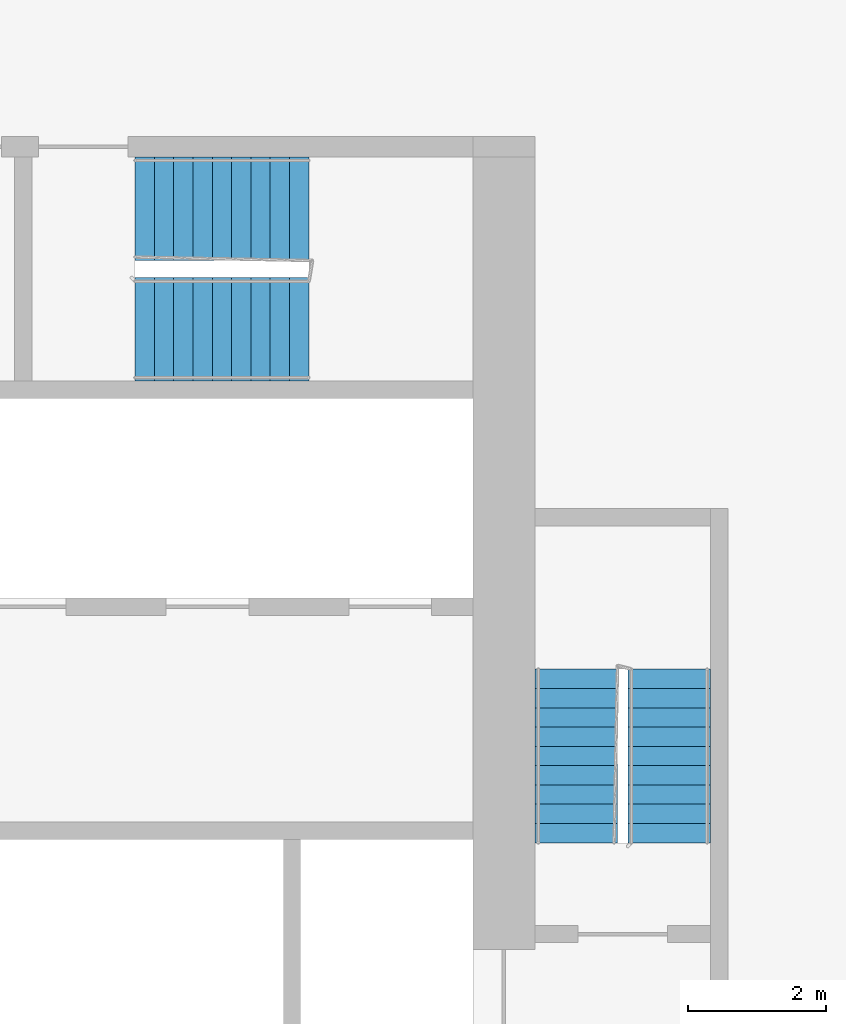
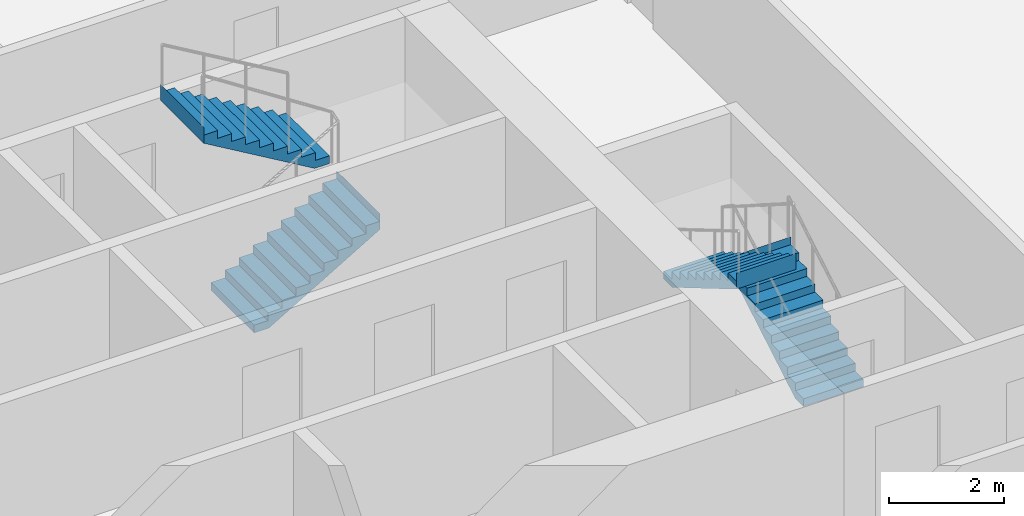
# One storey, part 11 of 12: 4 stair flights, 2 elements without a shape of their own.
"""IFC4 building model written with IfcOpenShell, lengths in metres."""

from ifc_helpers import new_model, si_unit, direction, frame, origin, place, context, subcontext, project, spatial, faceted_brep, material, type_object, element, aggregate, save


model = new_model("IFC4")

# Units and contexts
model_context = context("Model", 3, precision=1e-05, world=origin(), true_north=direction((0.0, 1.0)))
body_context = subcontext(model_context, "Body", "Model", "MODEL_VIEW")
ifc_project = project(units=[si_unit("LENGTHUNIT", "METRE"), si_unit("AREAUNIT", "SQUARE_METRE"), si_unit("VOLUMEUNIT", "CUBIC_METRE"), si_unit("PLANEANGLEUNIT", "RADIAN"), si_unit("MASSUNIT", "GRAM", prefix="KILO")], contexts=[model_context])

# Site, building, storey
site_placement = place(None, origin())
site = spatial("IfcSite", under=ifc_project, at=site_placement, CompositionType="ELEMENT")
building_placement = place(site_placement, origin())
building = spatial("IfcBuilding", under=site, at=building_placement, Name="Kajstack Hotel Tower", CompositionType="ELEMENT")
storey_placement = place(building_placement, frame((0.0, 0.0, 137.199951171875)))
storey = spatial("IfcBuildingStorey", under=building, at=storey_placement, Name="L31", CompositionType="ELEMENT", Elevation=137.199951171875)

# Stair, stair flights
ifc_material = material(Name="Concrete C40/50", Category="concrete")
stair_type_1 = type_object("IfcStairType", Name="Exit stair 1200", PredefinedType="HALF_TURN_STAIR", material=ifc_material)
stair_1_placement = place(storey_placement, origin())
stair_1 = element("IfcStair", 1, at=stair_1_placement, inside=storey, type_object=stair_type_1, Name="L31 stair E1", PredefinedType="HALF_TURN_STAIR")
stair_flight_type_1 = type_object("IfcStairFlightType", Name="Exit stair flight 1200", PredefinedType="STRAIGHT", material=ifc_material)
stair_flight_1_placement = place(storey_placement, frame((33.449951171875, 5.25, 0.0), z_axis=(0.0, 0.0, 1.0), x_axis=(0.0, 1.0, 0.0)))
stair_flight_1 = element("IfcStairFlight", 2, at=stair_flight_1_placement, type_object=stair_flight_type_1, Name="E1 flight 1", NumberOfRisers=10, NumberOfTreads=9, PredefinedType="STRAIGHT", RiserHeight=0.165, TreadLength=0.28, context=body_context, shape_type="Brep", body=[
    faceted_brep([(0.295654296875, -0.60009765625, 0.0), (2.5205078125, -0.60009765625, 1.31103515625), (2.5205078125, -0.60009765625, 1.64990234375), (2.52001953125, -0.60009765625, 1.64990234375), (2.52001953125, -0.60009765625, 1.485107421875), (2.239990234375, -0.60009765625, 1.485107421875), (2.239990234375, -0.60009765625, 1.320068359375), (1.9599609375, -0.60009765625, 1.320068359375), (1.9599609375, -0.60009765625, 1.155029296875), (1.679931640625, -0.60009765625, 1.155029296875), (1.679931640625, -0.60009765625, 0.989990234375), (1.39990234375, -0.60009765625, 0.989990234375), (1.39990234375, -0.60009765625, 0.824951171875), (1.1201171875, -0.60009765625, 0.824951171875), (1.1201171875, -0.60009765625, 0.659912109375), (0.840087890625, -0.60009765625, 0.659912109375), (0.840087890625, -0.60009765625, 0.4951171875), (0.56005859375, -0.60009765625, 0.4951171875), (0.56005859375, -0.60009765625, 0.330078125), (0.280029296875, -0.60009765625, 0.330078125), (0.280029296875, -0.60009765625, 0.1650390625), (-0.00048828125, -0.60009765625, 0.1650390625), (-0.00048828125, -0.60009765625, 0.0), (-0.00048828125, 0.60009765625, 0.0), (-0.00048828125, 0.60009765625, 0.1650390625), (0.280029296875, 0.60009765625, 0.1650390625), (0.280029296875, 0.60009765625, 0.330078125), (0.56005859375, 0.60009765625, 0.330078125), (0.56005859375, 0.60009765625, 0.4951171875), (0.840087890625, 0.60009765625, 0.4951171875), (0.840087890625, 0.60009765625, 0.659912109375), (1.1201171875, 0.60009765625, 0.659912109375), (1.1201171875, 0.60009765625, 0.824951171875), (1.39990234375, 0.60009765625, 0.824951171875), (1.39990234375, 0.60009765625, 0.989990234375), (1.679931640625, 0.60009765625, 0.989990234375), (1.679931640625, 0.60009765625, 1.155029296875), (1.9599609375, 0.60009765625, 1.155029296875), (1.9599609375, 0.60009765625, 1.320068359375), (2.239990234375, 0.60009765625, 1.320068359375), (2.239990234375, 0.60009765625, 1.485107421875), (2.52001953125, 0.60009765625, 1.485107421875), (2.52001953125, 0.60009765625, 1.64990234375), (2.5205078125, 0.60009765625, 1.64990234375), (2.5205078125, 0.60009765625, 1.31103515625), (0.295654296875, 0.60009765625, 0.0), (-0.00048828125, -0.300048828125, 0.1650390625), (-0.00048828125, 0.0, 0.1650390625), (-0.00048828125, 0.300048828125, 0.1650390625), (-0.00048828125, 0.300048828125, 0.0), (-0.00048828125, 0.0, 0.0), (-0.00048828125, -0.300048828125, 0.0), (0.280029296875, -0.300048828125, 0.1650390625), (0.280029296875, 0.0, 0.1650390625), (0.280029296875, 0.300048828125, 0.1650390625), (0.280029296875, -0.300048828125, 0.330078125), (0.280029296875, 0.0, 0.330078125), (0.280029296875, 0.300048828125, 0.330078125), (0.56005859375, -0.300048828125, 0.330078125), (0.56005859375, 0.0, 0.330078125), (0.56005859375, 0.300048828125, 0.330078125), (0.56005859375, -0.300048828125, 0.4951171875), (0.56005859375, 0.0, 0.4951171875), (0.56005859375, 0.300048828125, 0.4951171875), (0.840087890625, -0.300048828125, 0.4951171875), (0.840087890625, 0.0, 0.4951171875), (0.840087890625, 0.300048828125, 0.4951171875), (0.840087890625, -0.300048828125, 0.659912109375), (0.840087890625, 0.0, 0.659912109375), (0.840087890625, 0.300048828125, 0.659912109375), (1.1201171875, -0.300048828125, 0.659912109375), (1.1201171875, 0.0, 0.659912109375), (1.1201171875, 0.300048828125, 0.659912109375), (1.1201171875, -0.300048828125, 0.824951171875), (1.1201171875, 0.0, 0.824951171875), (1.1201171875, 0.300048828125, 0.824951171875), (1.39990234375, -0.300048828125, 0.824951171875), (1.39990234375, 0.0, 0.824951171875), (1.39990234375, 0.300048828125, 0.824951171875), (1.39990234375, -0.300048828125, 0.989990234375), (1.39990234375, 0.0, 0.989990234375), (1.39990234375, 0.300048828125, 0.989990234375), (1.679931640625, -0.300048828125, 0.989990234375), (1.679931640625, 0.0, 0.989990234375), (1.679931640625, 0.300048828125, 0.989990234375), (1.679931640625, -0.300048828125, 1.155029296875), (1.679931640625, 0.0, 1.155029296875), (1.679931640625, 0.300048828125, 1.155029296875), (1.9599609375, -0.300048828125, 1.155029296875), (1.9599609375, 0.0, 1.155029296875), (1.9599609375, 0.300048828125, 1.155029296875), (1.9599609375, -0.300048828125, 1.320068359375), (1.9599609375, 0.0, 1.320068359375), (1.9599609375, 0.300048828125, 1.320068359375), (2.239990234375, -0.300048828125, 1.320068359375), (2.239990234375, 0.0, 1.320068359375), (2.239990234375, 0.300048828125, 1.320068359375), (2.239990234375, -0.300048828125, 1.485107421875), (2.239990234375, 0.0, 1.485107421875), (2.239990234375, 0.300048828125, 1.485107421875), (2.52001953125, -0.300048828125, 1.485107421875), (2.52001953125, 0.0, 1.485107421875), (2.52001953125, 0.300048828125, 1.485107421875), (2.52001953125, -0.300048828125, 1.64990234375), (2.52001953125, 0.0, 1.64990234375), (2.52001953125, 0.300048828125, 1.64990234375), (2.5205078125, -0.300048828125, 1.64990234375), (2.5205078125, 0.0, 1.64990234375), (2.5205078125, 0.300048828125, 1.64990234375), (2.5205078125, -0.300048828125, 1.31103515625), (2.5205078125, 0.0, 1.31103515625), (2.5205078125, 0.300048828125, 1.31103515625), (0.295654296875, -0.300048828125, 0.0), (0.295654296875, 0.0, 0.0), (0.295654296875, 0.300048828125, 0.0)], [[[0, 1, 2, 3, 4, 5, 6, 7, 8, 9, 10, 11, 12, 13, 14, 15, 16, 17, 18, 19, 20, 21, 22]], [[23, 24, 25, 26, 27, 28, 29, 30, 31, 32, 33, 34, 35, 36, 37, 38, 39, 40, 41, 42, 43, 44, 45]], [[21, 46, 47, 48, 24, 23, 49, 50, 51, 22]], [[20, 52, 53, 54, 25, 24, 48, 47, 46, 21]], [[19, 55, 56, 57, 26, 25, 54, 53, 52, 20]], [[18, 58, 59, 60, 27, 26, 57, 56, 55, 19]], [[17, 61, 62, 63, 28, 27, 60, 59, 58, 18]], [[16, 64, 65, 66, 29, 28, 63, 62, 61, 17]], [[15, 67, 68, 69, 30, 29, 66, 65, 64, 16]], [[14, 70, 71, 72, 31, 30, 69, 68, 67, 15]], [[13, 73, 74, 75, 32, 31, 72, 71, 70, 14]], [[12, 76, 77, 78, 33, 32, 75, 74, 73, 13]], [[11, 79, 80, 81, 34, 33, 78, 77, 76, 12]], [[10, 82, 83, 84, 35, 34, 81, 80, 79, 11]], [[9, 85, 86, 87, 36, 35, 84, 83, 82, 10]], [[8, 88, 89, 90, 37, 36, 87, 86, 85, 9]], [[7, 91, 92, 93, 38, 37, 90, 89, 88, 8]], [[6, 94, 95, 96, 39, 38, 93, 92, 91, 7]], [[5, 97, 98, 99, 40, 39, 96, 95, 94, 6]], [[4, 100, 101, 102, 41, 40, 99, 98, 97, 5]], [[3, 103, 104, 105, 42, 41, 102, 101, 100, 4]], [[2, 106, 107, 108, 43, 42, 105, 104, 103, 3]], [[1, 109, 110, 111, 44, 43, 108, 107, 106, 2]], [[0, 112, 113, 114, 45, 44, 111, 110, 109, 1]], [[22, 51, 50, 49, 23, 45, 114, 113, 112, 0]]]),
])
stair_flight_2_placement = place(storey_placement, frame((32.10009765625, 7.77001953125, 1.650146484375), z_axis=(0.0, 0.0, 1.0), x_axis=(0.0, -1.0, 0.0)))
stair_flight_2 = element("IfcStairFlight", 3, at=stair_flight_2_placement, type_object=stair_flight_type_1, Name="E1 flight 2", NumberOfRisers=10, NumberOfTreads=9, PredefinedType="STRAIGHT", RiserHeight=0.165, TreadLength=0.28, context=body_context, shape_type="Brep", body=[
    faceted_brep([(0.295654296875, -0.60009765625, 0.0), (2.5205078125, -0.60009765625, 1.31103515625), (2.5205078125, -0.60009765625, 1.64990234375), (2.52001953125, -0.60009765625, 1.64990234375), (2.52001953125, -0.60009765625, 1.485107421875), (2.239990234375, -0.60009765625, 1.485107421875), (2.239990234375, -0.60009765625, 1.320068359375), (1.9599609375, -0.60009765625, 1.320068359375), (1.9599609375, -0.60009765625, 1.155029296875), (1.679931640625, -0.60009765625, 1.155029296875), (1.679931640625, -0.60009765625, 0.989990234375), (1.39990234375, -0.60009765625, 0.989990234375), (1.39990234375, -0.60009765625, 0.824951171875), (1.1201171875, -0.60009765625, 0.824951171875), (1.1201171875, -0.60009765625, 0.659912109375), (0.840087890625, -0.60009765625, 0.659912109375), (0.840087890625, -0.60009765625, 0.4951171875), (0.56005859375, -0.60009765625, 0.4951171875), (0.56005859375, -0.60009765625, 0.330078125), (0.280029296875, -0.60009765625, 0.330078125), (0.280029296875, -0.60009765625, 0.1650390625), (-0.00048828125, -0.60009765625, 0.1650390625), (-0.00048828125, -0.60009765625, 0.0), (-0.00048828125, 0.60009765625, 0.0), (-0.00048828125, 0.60009765625, 0.1650390625), (0.280029296875, 0.60009765625, 0.1650390625), (0.280029296875, 0.60009765625, 0.330078125), (0.56005859375, 0.60009765625, 0.330078125), (0.56005859375, 0.60009765625, 0.4951171875), (0.840087890625, 0.60009765625, 0.4951171875), (0.840087890625, 0.60009765625, 0.659912109375), (1.1201171875, 0.60009765625, 0.659912109375), (1.1201171875, 0.60009765625, 0.824951171875), (1.39990234375, 0.60009765625, 0.824951171875), (1.39990234375, 0.60009765625, 0.989990234375), (1.679931640625, 0.60009765625, 0.989990234375), (1.679931640625, 0.60009765625, 1.155029296875), (1.9599609375, 0.60009765625, 1.155029296875), (1.9599609375, 0.60009765625, 1.320068359375), (2.239990234375, 0.60009765625, 1.320068359375), (2.239990234375, 0.60009765625, 1.485107421875), (2.52001953125, 0.60009765625, 1.485107421875), (2.52001953125, 0.60009765625, 1.64990234375), (2.5205078125, 0.60009765625, 1.64990234375), (2.5205078125, 0.60009765625, 1.31103515625), (0.295654296875, 0.60009765625, 0.0), (-0.00048828125, -0.300048828125, 0.1650390625), (-0.00048828125, 0.0, 0.1650390625), (-0.00048828125, 0.300048828125, 0.1650390625), (-0.00048828125, 0.300048828125, 0.0), (-0.00048828125, 0.0, 0.0), (-0.00048828125, -0.300048828125, 0.0), (0.280029296875, -0.300048828125, 0.1650390625), (0.280029296875, 0.0, 0.1650390625), (0.280029296875, 0.300048828125, 0.1650390625), (0.280029296875, -0.300048828125, 0.330078125), (0.280029296875, 0.0, 0.330078125), (0.280029296875, 0.300048828125, 0.330078125), (0.56005859375, -0.300048828125, 0.330078125), (0.56005859375, 0.0, 0.330078125), (0.56005859375, 0.300048828125, 0.330078125), (0.56005859375, -0.300048828125, 0.4951171875), (0.56005859375, 0.0, 0.4951171875), (0.56005859375, 0.300048828125, 0.4951171875), (0.840087890625, -0.300048828125, 0.4951171875), (0.840087890625, 0.0, 0.4951171875), (0.840087890625, 0.300048828125, 0.4951171875), (0.840087890625, -0.300048828125, 0.659912109375), (0.840087890625, 0.0, 0.659912109375), (0.840087890625, 0.300048828125, 0.659912109375), (1.1201171875, -0.300048828125, 0.659912109375), (1.1201171875, 0.0, 0.659912109375), (1.1201171875, 0.300048828125, 0.659912109375), (1.1201171875, -0.300048828125, 0.824951171875), (1.1201171875, 0.0, 0.824951171875), (1.1201171875, 0.300048828125, 0.824951171875), (1.39990234375, -0.300048828125, 0.824951171875), (1.39990234375, 0.0, 0.824951171875), (1.39990234375, 0.300048828125, 0.824951171875), (1.39990234375, -0.300048828125, 0.989990234375), (1.39990234375, 0.0, 0.989990234375), (1.39990234375, 0.300048828125, 0.989990234375), (1.679931640625, -0.300048828125, 0.989990234375), (1.679931640625, 0.0, 0.989990234375), (1.679931640625, 0.300048828125, 0.989990234375), (1.679931640625, -0.300048828125, 1.155029296875), (1.679931640625, 0.0, 1.155029296875), (1.679931640625, 0.300048828125, 1.155029296875), (1.9599609375, -0.300048828125, 1.155029296875), (1.9599609375, 0.0, 1.155029296875), (1.9599609375, 0.300048828125, 1.155029296875), (1.9599609375, -0.300048828125, 1.320068359375), (1.9599609375, 0.0, 1.320068359375), (1.9599609375, 0.300048828125, 1.320068359375), (2.239990234375, -0.300048828125, 1.320068359375), (2.239990234375, 0.0, 1.320068359375), (2.239990234375, 0.300048828125, 1.320068359375), (2.239990234375, -0.300048828125, 1.485107421875), (2.239990234375, 0.0, 1.485107421875), (2.239990234375, 0.300048828125, 1.485107421875), (2.52001953125, -0.300048828125, 1.485107421875), (2.52001953125, 0.0, 1.485107421875), (2.52001953125, 0.300048828125, 1.485107421875), (2.52001953125, -0.300048828125, 1.64990234375), (2.52001953125, 0.0, 1.64990234375), (2.52001953125, 0.300048828125, 1.64990234375), (2.5205078125, -0.300048828125, 1.64990234375), (2.5205078125, 0.0, 1.64990234375), (2.5205078125, 0.300048828125, 1.64990234375), (2.5205078125, -0.300048828125, 1.31103515625), (2.5205078125, 0.0, 1.31103515625), (2.5205078125, 0.300048828125, 1.31103515625), (0.295654296875, -0.300048828125, 0.0), (0.295654296875, 0.0, 0.0), (0.295654296875, 0.300048828125, 0.0)], [[[0, 1, 2, 3, 4, 5, 6, 7, 8, 9, 10, 11, 12, 13, 14, 15, 16, 17, 18, 19, 20, 21, 22]], [[23, 24, 25, 26, 27, 28, 29, 30, 31, 32, 33, 34, 35, 36, 37, 38, 39, 40, 41, 42, 43, 44, 45]], [[21, 46, 47, 48, 24, 23, 49, 50, 51, 22]], [[20, 52, 53, 54, 25, 24, 48, 47, 46, 21]], [[19, 55, 56, 57, 26, 25, 54, 53, 52, 20]], [[18, 58, 59, 60, 27, 26, 57, 56, 55, 19]], [[17, 61, 62, 63, 28, 27, 60, 59, 58, 18]], [[16, 64, 65, 66, 29, 28, 63, 62, 61, 17]], [[15, 67, 68, 69, 30, 29, 66, 65, 64, 16]], [[14, 70, 71, 72, 31, 30, 69, 68, 67, 15]], [[13, 73, 74, 75, 32, 31, 72, 71, 70, 14]], [[12, 76, 77, 78, 33, 32, 75, 74, 73, 13]], [[11, 79, 80, 81, 34, 33, 78, 77, 76, 12]], [[10, 82, 83, 84, 35, 34, 81, 80, 79, 11]], [[9, 85, 86, 87, 36, 35, 84, 83, 82, 10]], [[8, 88, 89, 90, 37, 36, 87, 86, 85, 9]], [[7, 91, 92, 93, 38, 37, 90, 89, 88, 8]], [[6, 94, 95, 96, 39, 38, 93, 92, 91, 7]], [[5, 97, 98, 99, 40, 39, 96, 95, 94, 6]], [[4, 100, 101, 102, 41, 40, 99, 98, 97, 5]], [[3, 103, 104, 105, 42, 41, 102, 101, 100, 4]], [[2, 106, 107, 108, 43, 42, 105, 104, 103, 3]], [[1, 109, 110, 111, 44, 43, 108, 107, 106, 2]], [[0, 112, 113, 114, 45, 44, 111, 110, 109, 1]], [[22, 51, 50, 49, 23, 45, 114, 113, 112, 0]]]),
])
aggregate(stair_1, [stair_flight_1, stair_flight_2])

stair_type_2 = type_object("IfcStairType", Name="Exit stair 1500", PredefinedType="HALF_TURN_STAIR", material=ifc_material)
stair_2_placement = place(storey_placement, origin())
stair_2 = element("IfcStair", 4, at=stair_2_placement, inside=storey, type_object=stair_type_2, Name="L31 stair E3", PredefinedType="HALF_TURN_STAIR")
stair_flight_type_2 = type_object("IfcStairFlightType", Name="Exit stair flight 1500", PredefinedType="STRAIGHT", material=ifc_material)
stair_flight_3_placement = place(storey_placement, frame((25.699951171875, 12.699951171875, 0.0), z_axis=(0.0, 0.0, 1.0), x_axis=(1.0, 0.0, 0.0)))
stair_flight_3 = element("IfcStairFlight", 5, at=stair_flight_3_placement, type_object=stair_flight_type_2, Name="E3 flight 1", NumberOfRisers=10, NumberOfTreads=9, PredefinedType="STRAIGHT", RiserHeight=0.165, TreadLength=0.28, context=body_context, shape_type="Brep", body=[
    faceted_brep([(0.295654296875, -0.75, 0.0), (2.5205078125, -0.75, 1.31103515625), (2.5205078125, -0.75, 1.64990234375), (2.52001953125, -0.75, 1.64990234375), (2.52001953125, -0.75, 1.485107421875), (2.239990234375, -0.75, 1.485107421875), (2.239990234375, -0.75, 1.320068359375), (1.9599609375, -0.75, 1.320068359375), (1.9599609375, -0.75, 1.155029296875), (1.679931640625, -0.75, 1.155029296875), (1.679931640625, -0.75, 0.989990234375), (1.39990234375, -0.75, 0.989990234375), (1.39990234375, -0.75, 0.824951171875), (1.1201171875, -0.75, 0.824951171875), (1.1201171875, -0.75, 0.659912109375), (0.840087890625, -0.75, 0.659912109375), (0.840087890625, -0.75, 0.4951171875), (0.56005859375, -0.75, 0.4951171875), (0.56005859375, -0.75, 0.330078125), (0.280029296875, -0.75, 0.330078125), (0.280029296875, -0.75, 0.1650390625), (-0.00048828125, -0.75, 0.1650390625), (-0.00048828125, -0.75, 0.0), (-0.00048828125, 0.75, 0.0), (-0.00048828125, 0.75, 0.1650390625), (0.280029296875, 0.75, 0.1650390625), (0.280029296875, 0.75, 0.330078125), (0.56005859375, 0.75, 0.330078125), (0.56005859375, 0.75, 0.4951171875), (0.840087890625, 0.75, 0.4951171875), (0.840087890625, 0.75, 0.659912109375), (1.1201171875, 0.75, 0.659912109375), (1.1201171875, 0.75, 0.824951171875), (1.39990234375, 0.75, 0.824951171875), (1.39990234375, 0.75, 0.989990234375), (1.679931640625, 0.75, 0.989990234375), (1.679931640625, 0.75, 1.155029296875), (1.9599609375, 0.75, 1.155029296875), (1.9599609375, 0.75, 1.320068359375), (2.239990234375, 0.75, 1.320068359375), (2.239990234375, 0.75, 1.485107421875), (2.52001953125, 0.75, 1.485107421875), (2.52001953125, 0.75, 1.64990234375), (2.5205078125, 0.75, 1.64990234375), (2.5205078125, 0.75, 1.31103515625), (0.295654296875, 0.75, 0.0), (-0.00048828125, -0.375, 0.1650390625), (-0.00048828125, 0.0, 0.1650390625), (-0.00048828125, 0.375, 0.1650390625), (-0.00048828125, 0.375, 0.0), (-0.00048828125, 0.0, 0.0), (-0.00048828125, -0.375, 0.0), (0.280029296875, -0.375, 0.1650390625), (0.280029296875, 0.0, 0.1650390625), (0.280029296875, 0.375, 0.1650390625), (0.280029296875, -0.375, 0.330078125), (0.280029296875, 0.0, 0.330078125), (0.280029296875, 0.375, 0.330078125), (0.56005859375, -0.375, 0.330078125), (0.56005859375, 0.0, 0.330078125), (0.56005859375, 0.375, 0.330078125), (0.56005859375, -0.375, 0.4951171875), (0.56005859375, 0.0, 0.4951171875), (0.56005859375, 0.375, 0.4951171875), (0.840087890625, -0.375, 0.4951171875), (0.840087890625, 0.0, 0.4951171875), (0.840087890625, 0.375, 0.4951171875), (0.840087890625, -0.375, 0.659912109375), (0.840087890625, 0.0, 0.659912109375), (0.840087890625, 0.375, 0.659912109375), (1.1201171875, -0.375, 0.659912109375), (1.1201171875, 0.0, 0.659912109375), (1.1201171875, 0.375, 0.659912109375), (1.1201171875, -0.375, 0.824951171875), (1.1201171875, 0.0, 0.824951171875), (1.1201171875, 0.375, 0.824951171875), (1.39990234375, -0.375, 0.824951171875), (1.39990234375, 0.0, 0.824951171875), (1.39990234375, 0.375, 0.824951171875), (1.39990234375, -0.375, 0.989990234375), (1.39990234375, 0.0, 0.989990234375), (1.39990234375, 0.375, 0.989990234375), (1.679931640625, -0.375, 0.989990234375), (1.679931640625, 0.0, 0.989990234375), (1.679931640625, 0.375, 0.989990234375), (1.679931640625, -0.375, 1.155029296875), (1.679931640625, 0.0, 1.155029296875), (1.679931640625, 0.375, 1.155029296875), (1.9599609375, -0.375, 1.155029296875), (1.9599609375, 0.0, 1.155029296875), (1.9599609375, 0.375, 1.155029296875), (1.9599609375, -0.375, 1.320068359375), (1.9599609375, 0.0, 1.320068359375), (1.9599609375, 0.375, 1.320068359375), (2.239990234375, -0.375, 1.320068359375), (2.239990234375, 0.0, 1.320068359375), (2.239990234375, 0.375, 1.320068359375), (2.239990234375, -0.375, 1.485107421875), (2.239990234375, 0.0, 1.485107421875), (2.239990234375, 0.375, 1.485107421875), (2.52001953125, -0.375, 1.485107421875), (2.52001953125, 0.0, 1.485107421875), (2.52001953125, 0.375, 1.485107421875), (2.52001953125, -0.375, 1.64990234375), (2.52001953125, 0.0, 1.64990234375), (2.52001953125, 0.375, 1.64990234375), (2.5205078125, -0.375, 1.64990234375), (2.5205078125, 0.0, 1.64990234375), (2.5205078125, 0.375, 1.64990234375), (2.5205078125, -0.375, 1.31103515625), (2.5205078125, 0.0, 1.31103515625), (2.5205078125, 0.375, 1.31103515625), (0.295654296875, -0.375, 0.0), (0.295654296875, 0.0, 0.0), (0.295654296875, 0.375, 0.0)], [[[0, 1, 2, 3, 4, 5, 6, 7, 8, 9, 10, 11, 12, 13, 14, 15, 16, 17, 18, 19, 20, 21, 22]], [[23, 24, 25, 26, 27, 28, 29, 30, 31, 32, 33, 34, 35, 36, 37, 38, 39, 40, 41, 42, 43, 44, 45]], [[21, 46, 47, 48, 24, 23, 49, 50, 51, 22]], [[20, 52, 53, 54, 25, 24, 48, 47, 46, 21]], [[19, 55, 56, 57, 26, 25, 54, 53, 52, 20]], [[18, 58, 59, 60, 27, 26, 57, 56, 55, 19]], [[17, 61, 62, 63, 28, 27, 60, 59, 58, 18]], [[16, 64, 65, 66, 29, 28, 63, 62, 61, 17]], [[15, 67, 68, 69, 30, 29, 66, 65, 64, 16]], [[14, 70, 71, 72, 31, 30, 69, 68, 67, 15]], [[13, 73, 74, 75, 32, 31, 72, 71, 70, 14]], [[12, 76, 77, 78, 33, 32, 75, 74, 73, 13]], [[11, 79, 80, 81, 34, 33, 78, 77, 76, 12]], [[10, 82, 83, 84, 35, 34, 81, 80, 79, 11]], [[9, 85, 86, 87, 36, 35, 84, 83, 82, 10]], [[8, 88, 89, 90, 37, 36, 87, 86, 85, 9]], [[7, 91, 92, 93, 38, 37, 90, 89, 88, 8]], [[6, 94, 95, 96, 39, 38, 93, 92, 91, 7]], [[5, 97, 98, 99, 40, 39, 96, 95, 94, 6]], [[4, 100, 101, 102, 41, 40, 99, 98, 97, 5]], [[3, 103, 104, 105, 42, 41, 102, 101, 100, 4]], [[2, 106, 107, 108, 43, 42, 105, 104, 103, 3]], [[1, 109, 110, 111, 44, 43, 108, 107, 106, 2]], [[0, 112, 113, 114, 45, 44, 111, 110, 109, 1]], [[22, 51, 50, 49, 23, 45, 114, 113, 112, 0]]]),
])
stair_flight_4_placement = place(storey_placement, frame((28.219970703125, 14.449951171875, 1.650146484375), z_axis=(0.0, 0.0, 1.0), x_axis=(-1.0, 0.0, 0.0)))
stair_flight_4 = element("IfcStairFlight", 6, at=stair_flight_4_placement, type_object=stair_flight_type_2, Name="E3 flight 2", NumberOfRisers=10, NumberOfTreads=9, PredefinedType="STRAIGHT", RiserHeight=0.165, TreadLength=0.28, context=body_context, shape_type="Brep", body=[
    faceted_brep([(0.295654296875, -0.75, 0.0), (2.5205078125, -0.75, 1.31103515625), (2.5205078125, -0.75, 1.64990234375), (2.52001953125, -0.75, 1.64990234375), (2.52001953125, -0.75, 1.485107421875), (2.239990234375, -0.75, 1.485107421875), (2.239990234375, -0.75, 1.320068359375), (1.9599609375, -0.75, 1.320068359375), (1.9599609375, -0.75, 1.155029296875), (1.679931640625, -0.75, 1.155029296875), (1.679931640625, -0.75, 0.989990234375), (1.39990234375, -0.75, 0.989990234375), (1.39990234375, -0.75, 0.824951171875), (1.1201171875, -0.75, 0.824951171875), (1.1201171875, -0.75, 0.659912109375), (0.840087890625, -0.75, 0.659912109375), (0.840087890625, -0.75, 0.4951171875), (0.56005859375, -0.75, 0.4951171875), (0.56005859375, -0.75, 0.330078125), (0.280029296875, -0.75, 0.330078125), (0.280029296875, -0.75, 0.1650390625), (-0.00048828125, -0.75, 0.1650390625), (-0.00048828125, -0.75, 0.0), (-0.00048828125, 0.75, 0.0), (-0.00048828125, 0.75, 0.1650390625), (0.280029296875, 0.75, 0.1650390625), (0.280029296875, 0.75, 0.330078125), (0.56005859375, 0.75, 0.330078125), (0.56005859375, 0.75, 0.4951171875), (0.840087890625, 0.75, 0.4951171875), (0.840087890625, 0.75, 0.659912109375), (1.1201171875, 0.75, 0.659912109375), (1.1201171875, 0.75, 0.824951171875), (1.39990234375, 0.75, 0.824951171875), (1.39990234375, 0.75, 0.989990234375), (1.679931640625, 0.75, 0.989990234375), (1.679931640625, 0.75, 1.155029296875), (1.9599609375, 0.75, 1.155029296875), (1.9599609375, 0.75, 1.320068359375), (2.239990234375, 0.75, 1.320068359375), (2.239990234375, 0.75, 1.485107421875), (2.52001953125, 0.75, 1.485107421875), (2.52001953125, 0.75, 1.64990234375), (2.5205078125, 0.75, 1.64990234375), (2.5205078125, 0.75, 1.31103515625), (0.295654296875, 0.75, 0.0), (-0.00048828125, -0.375, 0.1650390625), (-0.00048828125, 0.0, 0.1650390625), (-0.00048828125, 0.375, 0.1650390625), (-0.00048828125, 0.375, 0.0), (-0.00048828125, 0.0, 0.0), (-0.00048828125, -0.375, 0.0), (0.280029296875, -0.375, 0.1650390625), (0.280029296875, 0.0, 0.1650390625), (0.280029296875, 0.375, 0.1650390625), (0.280029296875, -0.375, 0.330078125), (0.280029296875, 0.0, 0.330078125), (0.280029296875, 0.375, 0.330078125), (0.56005859375, -0.375, 0.330078125), (0.56005859375, 0.0, 0.330078125), (0.56005859375, 0.375, 0.330078125), (0.56005859375, -0.375, 0.4951171875), (0.56005859375, 0.0, 0.4951171875), (0.56005859375, 0.375, 0.4951171875), (0.840087890625, -0.375, 0.4951171875), (0.840087890625, 0.0, 0.4951171875), (0.840087890625, 0.375, 0.4951171875), (0.840087890625, -0.375, 0.659912109375), (0.840087890625, 0.0, 0.659912109375), (0.840087890625, 0.375, 0.659912109375), (1.1201171875, -0.375, 0.659912109375), (1.1201171875, 0.0, 0.659912109375), (1.1201171875, 0.375, 0.659912109375), (1.1201171875, -0.375, 0.824951171875), (1.1201171875, 0.0, 0.824951171875), (1.1201171875, 0.375, 0.824951171875), (1.39990234375, -0.375, 0.824951171875), (1.39990234375, 0.0, 0.824951171875), (1.39990234375, 0.375, 0.824951171875), (1.39990234375, -0.375, 0.989990234375), (1.39990234375, 0.0, 0.989990234375), (1.39990234375, 0.375, 0.989990234375), (1.679931640625, -0.375, 0.989990234375), (1.679931640625, 0.0, 0.989990234375), (1.679931640625, 0.375, 0.989990234375), (1.679931640625, -0.375, 1.155029296875), (1.679931640625, 0.0, 1.155029296875), (1.679931640625, 0.375, 1.155029296875), (1.9599609375, -0.375, 1.155029296875), (1.9599609375, 0.0, 1.155029296875), (1.9599609375, 0.375, 1.155029296875), (1.9599609375, -0.375, 1.320068359375), (1.9599609375, 0.0, 1.320068359375), (1.9599609375, 0.375, 1.320068359375), (2.239990234375, -0.375, 1.320068359375), (2.239990234375, 0.0, 1.320068359375), (2.239990234375, 0.375, 1.320068359375), (2.239990234375, -0.375, 1.485107421875), (2.239990234375, 0.0, 1.485107421875), (2.239990234375, 0.375, 1.485107421875), (2.52001953125, -0.375, 1.485107421875), (2.52001953125, 0.0, 1.485107421875), (2.52001953125, 0.375, 1.485107421875), (2.52001953125, -0.375, 1.64990234375), (2.52001953125, 0.0, 1.64990234375), (2.52001953125, 0.375, 1.64990234375), (2.5205078125, -0.375, 1.64990234375), (2.5205078125, 0.0, 1.64990234375), (2.5205078125, 0.375, 1.64990234375), (2.5205078125, -0.375, 1.31103515625), (2.5205078125, 0.0, 1.31103515625), (2.5205078125, 0.375, 1.31103515625), (0.295654296875, -0.375, 0.0), (0.295654296875, 0.0, 0.0), (0.295654296875, 0.375, 0.0)], [[[0, 1, 2, 3, 4, 5, 6, 7, 8, 9, 10, 11, 12, 13, 14, 15, 16, 17, 18, 19, 20, 21, 22]], [[23, 24, 25, 26, 27, 28, 29, 30, 31, 32, 33, 34, 35, 36, 37, 38, 39, 40, 41, 42, 43, 44, 45]], [[21, 46, 47, 48, 24, 23, 49, 50, 51, 22]], [[20, 52, 53, 54, 25, 24, 48, 47, 46, 21]], [[19, 55, 56, 57, 26, 25, 54, 53, 52, 20]], [[18, 58, 59, 60, 27, 26, 57, 56, 55, 19]], [[17, 61, 62, 63, 28, 27, 60, 59, 58, 18]], [[16, 64, 65, 66, 29, 28, 63, 62, 61, 17]], [[15, 67, 68, 69, 30, 29, 66, 65, 64, 16]], [[14, 70, 71, 72, 31, 30, 69, 68, 67, 15]], [[13, 73, 74, 75, 32, 31, 72, 71, 70, 14]], [[12, 76, 77, 78, 33, 32, 75, 74, 73, 13]], [[11, 79, 80, 81, 34, 33, 78, 77, 76, 12]], [[10, 82, 83, 84, 35, 34, 81, 80, 79, 11]], [[9, 85, 86, 87, 36, 35, 84, 83, 82, 10]], [[8, 88, 89, 90, 37, 36, 87, 86, 85, 9]], [[7, 91, 92, 93, 38, 37, 90, 89, 88, 8]], [[6, 94, 95, 96, 39, 38, 93, 92, 91, 7]], [[5, 97, 98, 99, 40, 39, 96, 95, 94, 6]], [[4, 100, 101, 102, 41, 40, 99, 98, 97, 5]], [[3, 103, 104, 105, 42, 41, 102, 101, 100, 4]], [[2, 106, 107, 108, 43, 42, 105, 104, 103, 3]], [[1, 109, 110, 111, 44, 43, 108, 107, 106, 2]], [[0, 112, 113, 114, 45, 44, 111, 110, 109, 1]], [[22, 51, 50, 49, 23, 45, 114, 113, 112, 0]]]),
])
aggregate(stair_2, [stair_flight_3, stair_flight_4])

save(model, "model.ifc")
